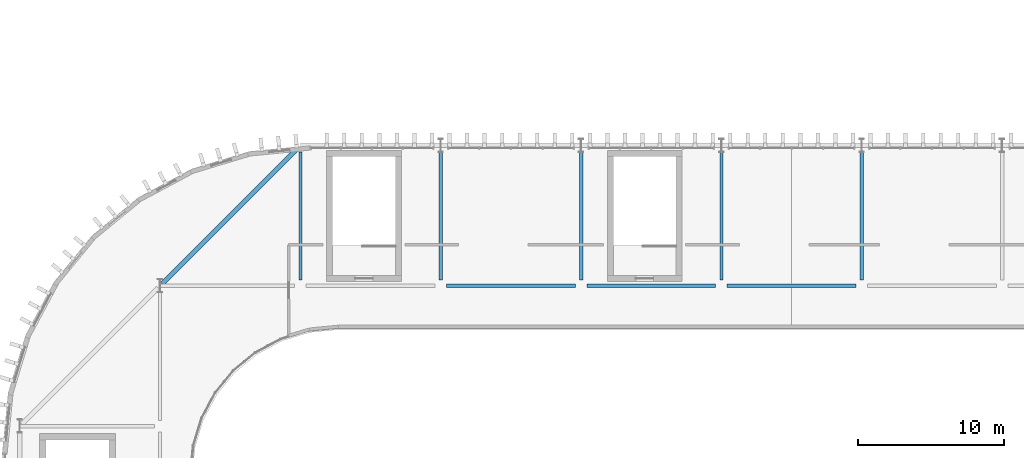
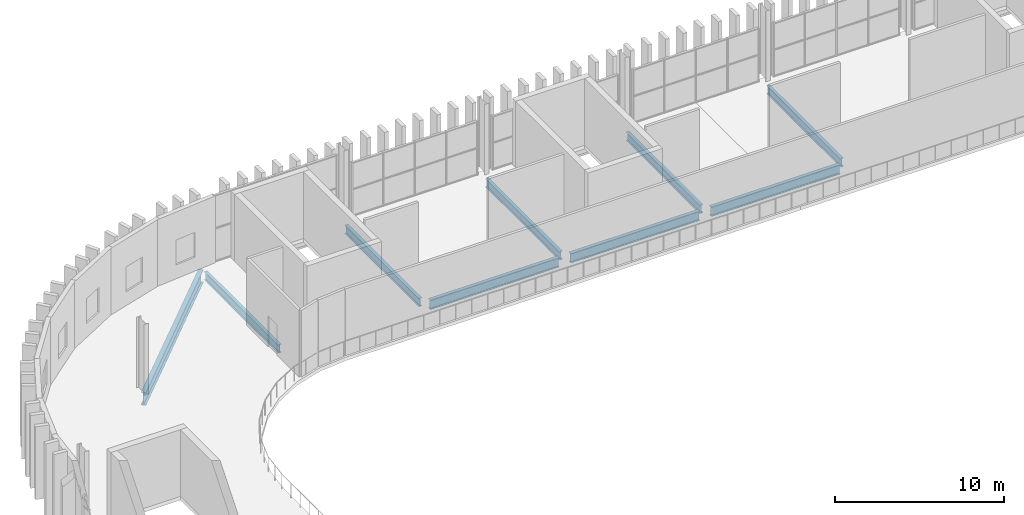
# One storey, part 18 of 45: 9 beams.
"""IFC4 building model written with IfcOpenShell, lengths in metres."""

from ifc_helpers import new_model, si_unit, direction, frame, origin, origin_2d, place, context, subcontext, project, spatial, i_section, extrude, material, material_profile, profile_set, type_object, element, save


model = new_model("IFC4")

# Units and contexts
model_context = context("Model", 3, precision=1e-05, world=origin(), true_north=direction((0.0, 1.0)))
body_context = subcontext(model_context, "Body", "Model", "MODEL_VIEW")
ifc_project = project(units=[si_unit("LENGTHUNIT", "METRE"), si_unit("AREAUNIT", "SQUARE_METRE"), si_unit("VOLUMEUNIT", "CUBIC_METRE"), si_unit("PLANEANGLEUNIT", "RADIAN"), si_unit("MASSUNIT", "GRAM", prefix="KILO")], contexts=[model_context])

# Site, building, storey
site_placement = place(None, origin())
site = spatial("IfcSite", under=ifc_project, at=site_placement, CompositionType="ELEMENT")
building_placement = place(site_placement, origin())
building = spatial("IfcBuilding", under=site, at=building_placement, Name="Caelomonte Colonnade Arena", CompositionType="ELEMENT")
storey_placement = place(building_placement, frame((0.0, 0.0, 23.10009765625)))
storey = spatial("IfcBuildingStorey", under=building, at=storey_placement, Name="L05", CompositionType="ELEMENT", Elevation=23.10009765625)

# Beams
ifc_material = material(Name="Wide-flange steel ASTM A992 Grade 50", Category="steel")
ifc_material_profile_1 = material_profile(ifc_material, i_section(OverallWidth=0.307861328125, OverallDepth=0.927001953125, WebThickness=0.019287109375, FlangeThickness=0.031982421875, FilletRadius=0.020263671875, at=origin_2d()), Name="W36X194")
ifc_profile_set_1 = profile_set([ifc_material_profile_1], Name="Wide-flange steel ASTM A992 Grade 50")
beam_type_1 = type_object("IfcBeamType", Name="STR-BM-EAVES2", PredefinedType="SPANDREL", material=ifc_profile_set_1)
beam_1_placement = place(storey_placement, frame((76.65771484375, 115.057861328125, -0.7236328125), z_axis=(-0.70709751525, -0.707116047002, 0.0), x_axis=(0.707116047002, -0.70709751525, 0.0)))
element("IfcBeam", 1, at=beam_1_placement, inside=storey, type_object=beam_type_1, Name="L05 drum corner ring girder 7", PredefinedType="SPANDREL", context=body_context, shape_type="SweptSolid", body=[
    extrude(i_section(OverallWidth=0.307861328125, OverallDepth=0.927001953125, WebThickness=0.019287109375, FlangeThickness=0.031982421875, FilletRadius=0.020263671875, at=origin_2d()), origin(), (0.0, 0.0, 1.0), 13.174072265625),
])
ifc_material_profile_2 = material_profile(ifc_material, i_section(OverallWidth=0.227783203125, OverallDepth=0.60205078125, WebThickness=0.010498046875, FlangeThickness=0.014892578125, FilletRadius=0.0126953125, at=origin_2d()), Name="W24X68")
ifc_profile_set_2 = profile_set([ifc_material_profile_2], Name="Wide-flange steel ASTM A992 Grade 50")
beam_type_2 = type_object("IfcBeamType", Name="STR-BM-GIRD24B", PredefinedType="SPANDREL", material=ifc_profile_set_2)
for number, where, z_axis, x_axis, name in (
    (2, (76.800048828125, 105.991943359375, -0.56103515625), (0.0, 1.0, 0.0), (-1.0, 0.0, 0.0), "L05 girder BMY-L05-0768-1056"),
    (3, (86.39990234375, 105.991943359375, -0.56103515625), (0.0, 1.0, 0.0), (-1.0, 0.0, 0.0), "L05 girder BMY-L05-0864-1056"),
    (4, (96.0, 105.991943359375, -0.56103515625), (0.0, 1.0, 0.0), (-1.0, 0.0, 0.0), "L05 girder BMY-L05-0960-1056"),
    (5, (105.60009765625, 105.991943359375, -0.56103515625), (0.0, 1.0, 0.0), (-1.0, 0.0, 0.0), "L05 girder BMY-L05-1056-1056"),
    (6, (115.199951171875, 105.991943359375, -0.56103515625), (0.0, 1.0, 0.0), (-1.0, 0.0, 0.0), "L05 girder BMY-L05-1152-1056"),
):
    element("IfcBeam", number, at=place(storey_placement, frame(where, z_axis=z_axis, x_axis=x_axis)), inside=storey, type_object=beam_type_2, Name=name, PredefinedType="SPANDREL", context=body_context, shape_type="SweptSolid", body=[
        extrude(i_section(OverallWidth=0.227783203125, OverallDepth=0.60205078125, WebThickness=0.010498046875, FlangeThickness=0.014892578125, FilletRadius=0.0126953125, at=origin_2d()), origin(), (0.0, 0.0, 1.0), 8.75244140625),
    ])
ifc_material_profile_3 = material_profile(ifc_material, i_section(OverallWidth=0.2529296875, OverallDepth=0.67822265625, WebThickness=0.01171875, FlangeThickness=0.016357421875, FilletRadius=0.01513671875, at=origin_2d()), Name="W27X84")
ifc_profile_set_3 = profile_set([ifc_material_profile_3], Name="Wide-flange steel ASTM A992 Grade 50")
beam_type_3 = type_object("IfcBeamType", Name="STR-BM-GIRD27B", PredefinedType="BEAM", material=ifc_profile_set_3)
for number, where, z_axis, x_axis, name in (
    (7, (86.7919921875, 105.60009765625, -0.59912109375), (1.0, 0.0, 0.0), (0.0, 1.0, 0.0), "L05 girder BMX-L05-0864-1056"),
    (8, (96.39208984375, 105.60009765625, -0.59912109375), (1.0, 0.0, 0.0), (0.0, 1.0, 0.0), "L05 girder BMX-L05-0960-1056"),
):
    element("IfcBeam", number, at=place(storey_placement, frame(where, z_axis=z_axis, x_axis=x_axis)), inside=storey, type_object=beam_type_3, Name=name, PredefinedType="BEAM", context=body_context, shape_type="SweptSolid", body=[
        extrude(i_section(OverallWidth=0.2529296875, OverallDepth=0.67822265625, WebThickness=0.01171875, FlangeThickness=0.016357421875, FilletRadius=0.01513671875, at=origin_2d()), origin(), (0.0, 0.0, 1.0), 8.81591796875),
    ])
beam_2_placement = place(storey_placement, frame((105.991943359375, 105.60009765625, -0.59912109375), z_axis=(1.0, 0.0, 0.0), x_axis=(0.0, 1.0, 0.0)))
element("IfcBeam", 9, at=beam_2_placement, inside=storey, type_object=beam_type_3, Name="L05 girder BMX-L05-1056-1056", PredefinedType="BEAM", context=body_context, shape_type="SweptSolid", body=[
    extrude(i_section(OverallWidth=0.2529296875, OverallDepth=0.67822265625, WebThickness=0.01171875, FlangeThickness=0.016357421875, FilletRadius=0.01513671875, at=origin_2d()), origin(), (0.0, 0.0, 1.0), 8.816162109375),
])

save(model, "model.ifc")
